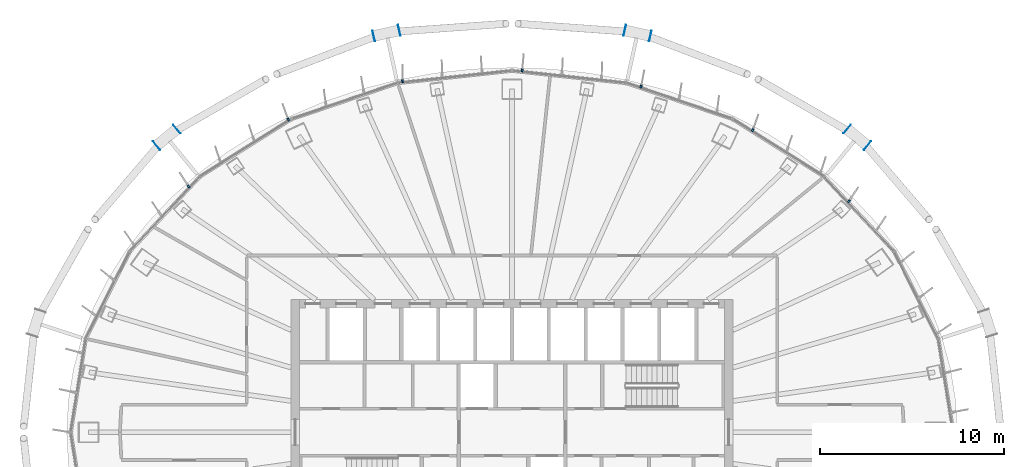
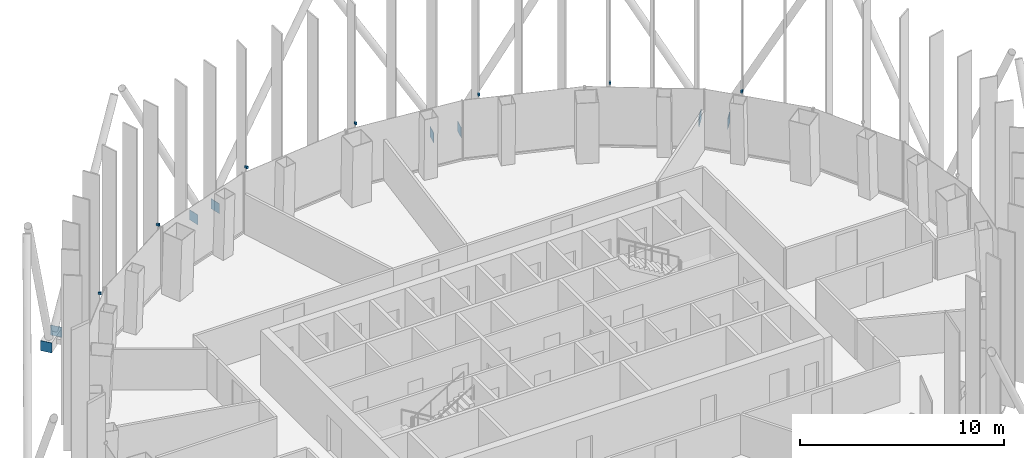
# One storey, part 14 of 18: 15 discrete accessories.
"""IFC4 building model written with IfcOpenShell, lengths in metres."""

from ifc_helpers import new_model, si_unit, direction, frame, origin, origin_2d, place, context, subcontext, project, spatial, rectangle, extrude, material, layer, layer_set, type_object, element, save


model = new_model("IFC4")

# Units and contexts
model_context = context("Model", 3, precision=1e-05, world=origin(), true_north=direction((0.0, 1.0)))
body_context = subcontext(model_context, "Body", "Model", "MODEL_VIEW")
ifc_project = project(units=[si_unit("LENGTHUNIT", "METRE"), si_unit("AREAUNIT", "SQUARE_METRE"), si_unit("VOLUMEUNIT", "CUBIC_METRE"), si_unit("PLANEANGLEUNIT", "RADIAN"), si_unit("MASSUNIT", "GRAM", prefix="KILO")], contexts=[model_context])

# Site, building, storey
site_placement = place(None, origin())
site = spatial("IfcSite", under=ifc_project, at=site_placement, CompositionType="ELEMENT")
building_placement = place(site_placement, origin())
building = spatial("IfcBuilding", under=site, at=building_placement, Name="Siaravel Broadcast Tower", CompositionType="ELEMENT")
storey_placement = place(building_placement, frame((0.0, 0.0, 157.10009765625)))
storey = spatial("IfcBuildingStorey", under=building, at=storey_placement, Name="L37", CompositionType="ELEMENT", Elevation=157.10009765625)

# Discrete accessories
ifc_material_1 = material(Name="Stainless steel 316", Category="steel")
discrete_accessory_type_1 = type_object("IfcDiscreteAccessoryType", Name="Stainless steel fin bracket", PredefinedType="USERDEFINED", material=ifc_material_1)
for number, where, z_axis, x_axis, name in (
    (1, (18.293701171875, 12.547119140625, 3.68017578125), (0.0, 0.0, 1.0), (0.729805608, 0.683654718, 0.0), "Fin bracket L37-07"),
    (2, (13.070068359375, 16.404541015625, 3.68017578125), (0.0, 0.0, 1.0), (0.53215093, 0.846649507, 0.0), "Fin bracket L37-10"),
    (3, (7.006103515625, 18.76904296875, 3.68017578125), (0.0, 0.0, 1.0), (0.321300635, 0.946977245, 0.0), "Fin bracket L37-13"),
    (4, (0.547607421875, 19.648681640625, 3.68017578125), (0.0, 0.0, 1.0), (0.107218518, 0.99423548, 0.0), "Fin bracket L37-16"),
    (5, (-5.94970703125, 19.066162109375, 3.68017578125), (0.0, 0.0, 1.0), (-0.107218518, 0.99423548, 0.0), "Fin bracket L37-19"),
    (6, (-12.14990234375, 16.982666015625, 3.68017578125), (0.0, 0.0, 1.0), (-0.53215093, 0.846649507, 0.0), "Fin bracket L37-22"),
    (7, (-17.55078125, 13.340087890625, 3.68017578125), (0.0, 0.0, 1.0), (-0.729805608, 0.683654718, 0.0), "Fin bracket L37-25"),
):
    element("IfcDiscreteAccessory", number, at=place(storey_placement, frame(where, z_axis=z_axis, x_axis=x_axis)), inside=storey, type_object=discrete_accessory_type_1, Name=name, ObjectType="BRACKET", PredefinedType="USERDEFINED", context=body_context, shape_type="SweptSolid", body=[
        extrude(rectangle(XDim=0.159912109375, YDim=0.10009765625, at=origin_2d()), origin(), (0.0, 0.0, 1.0), 0.139892578125),
    ])
ifc_material_2 = material(Name="Steel S355", Category="steel")
ifc_layer = layer(ifc_material_2, 0.02001953125)
ifc_layer_set = layer_set([ifc_layer], Name="Steel S355")
discrete_accessory_type_2 = type_object("IfcDiscreteAccessoryType", Name="Steel end plate 20 mm", PredefinedType="USERDEFINED", material=ifc_layer_set)
for number, where, z_axis, x_axis, name in (
    (8, (18.1982421875, 16.4677734375, -0.500244140625), (0.0, 0.0, 1.0), (-0.773604694, 0.633668508, 0.0), "End plate R16 station 09A"),
    (9, (19.29638671875, 15.568115234375, -0.500244140625), (0.0, 0.0, 1.0), (-0.773604694, 0.633668508, 0.0), "End plate R16 station 09B"),
    (10, (6.123046875, 21.8251953125, -0.500244140625), (0.0, 0.0, 1.0), (-0.976750917, 0.214377344, 0.0), "End plate R16 station 15A"),
    (11, (7.509765625, 21.520751953125, -0.500244140625), (0.0, 0.0, 1.0), (-0.976750917, 0.214377344, 0.0), "End plate R16 station 15B"),
    (12, (-7.509765625, 21.520751953125, -0.500244140625), (0.0, 0.0, 1.0), (-0.976750917, -0.214377344, 0.0), "End plate R16 station 21A"),
    (13, (-6.123046875, 21.8251953125, -0.500244140625), (0.0, 0.0, 1.0), (-0.976750917, -0.214377344, 0.0), "End plate R16 station 21B"),
    (14, (-19.29638671875, 15.568115234375, -0.500244140625), (0.0, 0.0, 1.0), (-0.773604694, -0.633668508, 0.0), "End plate R16 station 27A"),
    (15, (-18.1982421875, 16.4677734375, -0.500244140625), (0.0, 0.0, 1.0), (-0.773604694, -0.633668508, 0.0), "End plate R16 station 27B"),
):
    element("IfcDiscreteAccessory", number, at=place(storey_placement, frame(where, z_axis=z_axis, x_axis=x_axis)), inside=storey, type_object=discrete_accessory_type_2, Name=name, ObjectType="END PLATE", PredefinedType="USERDEFINED", context=body_context, shape_type="SweptSolid", body=[
        extrude(rectangle(XDim=0.02001953125, YDim=0.60009765625, at=origin_2d()), origin(), (0.0, 0.0, 1.0), 0.60009765625),
    ])

save(model, "model.ifc")
